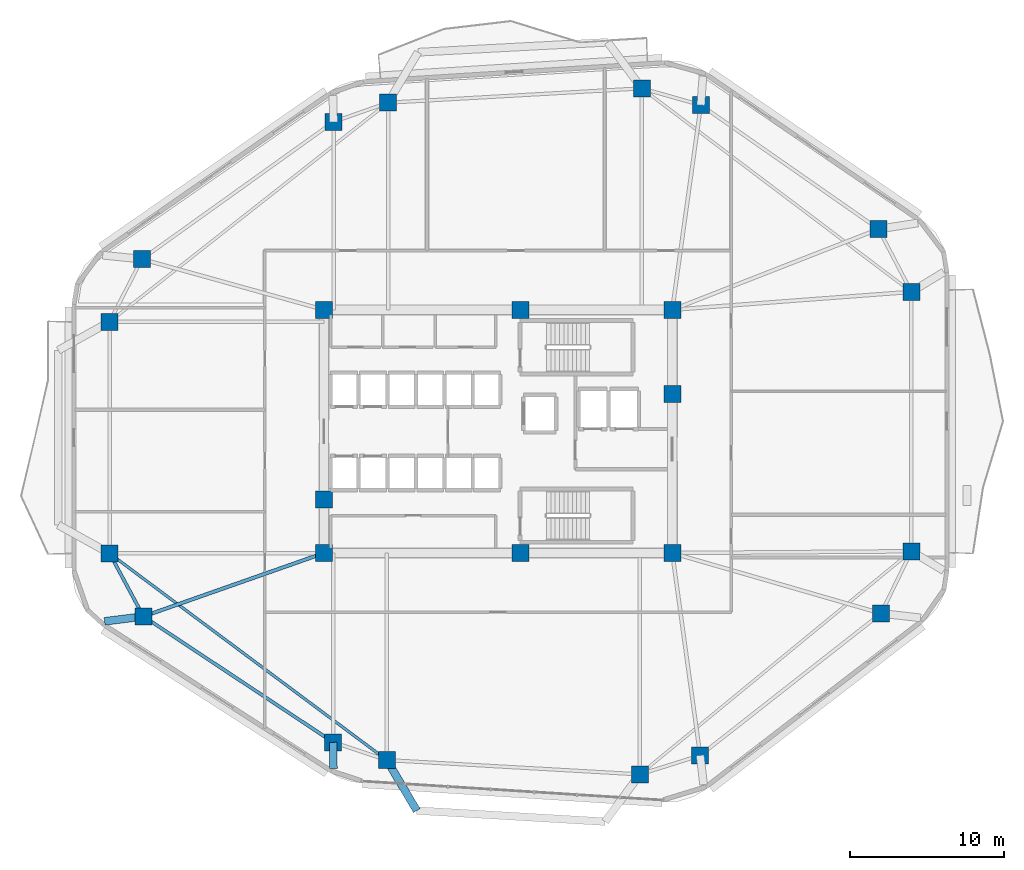
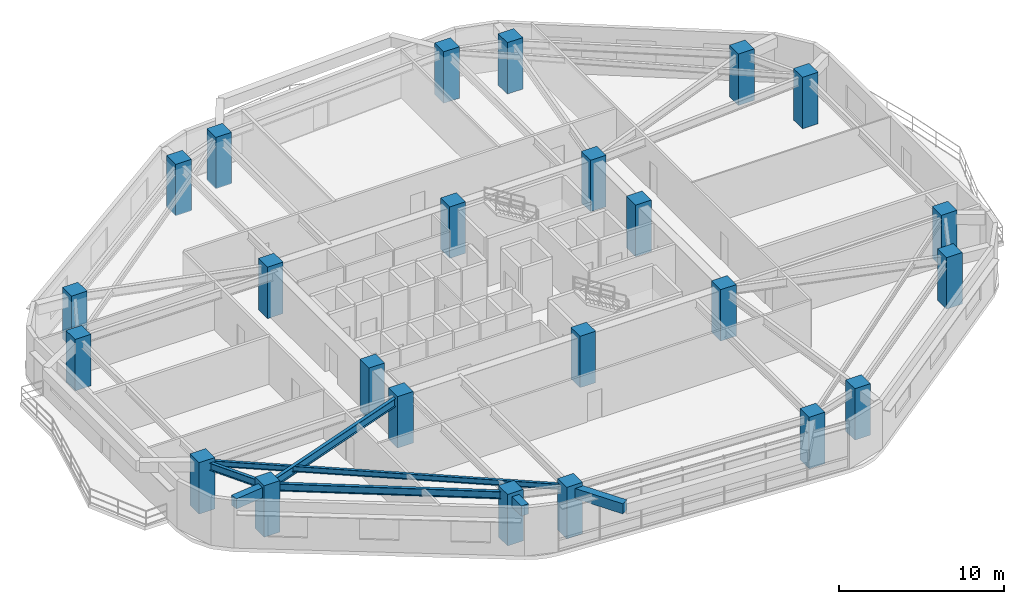
# One storey, part 1 of 12: 24 columns, 7 beams.
"""IFC4 building model written with IfcOpenShell, lengths in metres."""

from ifc_helpers import new_model, si_unit, direction, frame, origin, origin_2d, place, context, subcontext, project, spatial, rectangle, i_section, extrude, material, material_profile, profile_set, type_object, element, save


model = new_model("IFC4")

# Units and contexts
model_context = context("Model", 3, precision=1e-05, world=origin(), true_north=direction((0.0, 1.0)))
body_context = subcontext(model_context, "Body", "Model", "MODEL_VIEW")
ifc_project = project(units=[si_unit("LENGTHUNIT", "METRE"), si_unit("AREAUNIT", "SQUARE_METRE"), si_unit("VOLUMEUNIT", "CUBIC_METRE"), si_unit("PLANEANGLEUNIT", "RADIAN"), si_unit("MASSUNIT", "GRAM", prefix="KILO")], contexts=[model_context])

# Site, building, storey
site_placement = place(None, origin())
site = spatial("IfcSite", under=ifc_project, at=site_placement, CompositionType="ELEMENT")
building_placement = place(site_placement, origin())
building = spatial("IfcBuilding", under=site, at=building_placement, Name="Zulverin Broadcast Headquarters", CompositionType="ELEMENT")
storey_placement = place(building_placement, frame((0.0, 0.0, 93.39990234375)))
storey = spatial("IfcBuildingStorey", under=building, at=storey_placement, Name="L23", CompositionType="ELEMENT", Elevation=93.39990234375)

# Columns
ifc_material_1 = material(Name="Concrete C60/75", Category="concrete")
ifc_material_profile_1 = material_profile(ifc_material_1, rectangle(XDim=1.10009765625, YDim=1.10009765625, at=origin_2d()), Name="Concrete C60/75", Category="concrete")
ifc_profile_set_1 = profile_set([ifc_material_profile_1], Name="Concrete C60/75")
column_type_1 = type_object("IfcColumnType", Name="COL-RC-1100", PredefinedType="COLUMN", material=ifc_profile_set_1)
for number, where, z_axis, x_axis, name in (
    (1, (29.79638671875, 3.922119140625, 0.0), (0.0, 0.0, 1.0), (1.0, 0.0, 0.0), "L23 Perimeter Column T01"),
    (2, (46.175048828125, 2.997802734375, 0.0), (0.0, 0.0, 1.0), (1.0, 0.0, 0.0), "L23 Perimeter Column T02"),
    (3, (50.08056640625, 4.22509765625, 0.0), (0.0, 0.0, 1.0), (1.0, 0.0, 0.0), "L23 Perimeter Column T03"),
    (4, (61.79296875, 13.416259765625, 0.0), (0.0, 0.0, 1.0), (1.0, 0.0, 0.0), "L23 Perimeter Column T04"),
    (5, (63.75, 17.439697265625, 0.0), (0.0, 0.0, 1.0), (1.0, 0.0, 0.0), "L23 Perimeter Column T05"),
    (6, (63.75, 34.235107421875, 0.0), (0.0, 0.0, 1.0), (1.0, 0.0, 0.0), "L23 Perimeter Column T06"),
    (7, (61.630126953125, 38.298583984375, 0.0), (0.0, 0.0, 1.0), (1.0, 0.0, 0.0), "L23 Perimeter Column T07"),
    (8, (50.121826171875, 46.325927734375, 0.0), (0.0, 0.0, 1.0), (1.0, 0.0, 0.0), "L23 Perimeter Column T08"),
    (9, (46.30224609375, 47.4091796875, 0.0), (0.0, 0.0, 1.0), (1.0, 0.0, 0.0), "L23 Perimeter Column T09"),
    (10, (29.873779296875, 46.482177734375, 0.0), (0.0, 0.0, 1.0), (1.0, 0.0, 0.0), "L23 Perimeter Column T10"),
    (11, (26.344482421875, 45.23828125, 0.0), (0.0, 0.0, 1.0), (1.0, 0.0, 0.0), "L23 Perimeter Column T11"),
    (12, (13.934326171875, 36.353759765625, 0.0), (0.0, 0.0, 1.0), (1.0, 0.0, 0.0), "L23 Perimeter Column T12"),
    (13, (11.85009765625, 32.298095703125, 0.0), (0.0, 0.0, 1.0), (1.0, 0.0, 0.0), "L23 Perimeter Column T13"),
    (14, (11.85009765625, 17.297607421875, 0.0), (0.0, 0.0, 1.0), (1.0, 0.0, 0.0), "L23 Perimeter Column T14"),
    (15, (14.0390625, 13.219970703125, 0.0), (0.0, 0.0, 1.0), (1.0, 0.0, 0.0), "L23 Perimeter Column T15"),
    (16, (26.3251953125, 5.075927734375, 0.0), (0.0, 0.0, 1.0), (1.0, 0.0, 0.0), "L23 Perimeter Column T16"),
):
    element("IfcColumn", number, at=place(storey_placement, frame(where, z_axis=z_axis, x_axis=x_axis)), inside=storey, type_object=column_type_1, Name=name, PredefinedType="COLUMN", context=body_context, shape_type="SweptSolid", body=[
        extrude(rectangle(XDim=1.10009765625, YDim=1.10009765625, at=origin_2d()), origin(), (0.0, 0.0, 1.0), 3.800048828125),
    ])
ifc_material_profile_2 = material_profile(ifc_material_1, rectangle(XDim=1.10009765625, YDim=1.10009765625, at=origin_2d()), Name="Concrete C60/75", Category="concrete")
ifc_profile_set_2 = profile_set([ifc_material_profile_2], Name="Concrete C60/75")
column_type_2 = type_object("IfcColumnType", Name="PIL-RC-1100", PredefinedType="PILASTER", material=ifc_profile_set_2)
for number, where, z_axis, x_axis, name in (
    (17, (25.72509765625, 17.324951171875, 0.0), (0.0, 0.0, 1.0), (1.0, 0.0, 0.0), "L23 Core Pilaster K01"),
    (18, (38.449951171875, 17.324951171875, 0.0), (0.0, 0.0, 1.0), (1.0, 0.0, 0.0), "L23 Core Pilaster K02"),
    (19, (48.27490234375, 17.324951171875, 0.0), (0.0, 0.0, 1.0), (1.0, 0.0, 0.0), "L23 Core Pilaster K03"),
    (20, (48.27490234375, 27.6201171875, 0.0), (0.0, 0.0, 1.0), (1.0, 0.0, 0.0), "L23 Core Pilaster K04"),
    (21, (48.27490234375, 33.074951171875, 0.0), (0.0, 0.0, 1.0), (1.0, 0.0, 0.0), "L23 Core Pilaster K05"),
    (22, (38.449951171875, 33.074951171875, 0.0), (0.0, 0.0, 1.0), (1.0, 0.0, 0.0), "L23 Core Pilaster K06"),
    (23, (25.72509765625, 33.074951171875, 0.0), (0.0, 0.0, 1.0), (1.0, 0.0, 0.0), "L23 Core Pilaster K07"),
    (24, (25.72509765625, 20.800048828125, 0.0), (0.0, 0.0, 1.0), (1.0, 0.0, 0.0), "L23 Core Pilaster K08"),
):
    element("IfcColumn", number, at=place(storey_placement, frame(where, z_axis=z_axis, x_axis=x_axis)), inside=storey, type_object=column_type_2, Name=name, PredefinedType="PILASTER", context=body_context, shape_type="SweptSolid", body=[
        extrude(rectangle(XDim=1.10009765625, YDim=1.10009765625, at=origin_2d()), origin(), (0.0, 0.0, 1.0), 3.800048828125),
    ])

# Beams
ifc_material_2 = material(Name="Concrete C40/50", Category="concrete")
ifc_material_profile_3 = material_profile(ifc_material_2, rectangle(XDim=0.5, YDim=0.75, at=origin_2d()), Name="Concrete C40/50", Category="concrete")
ifc_profile_set_3 = profile_set([ifc_material_profile_3], Name="Concrete C40/50")
beam_type_1 = type_object("IfcBeamType", Name="BM-RC-500x750", PredefinedType="BEAM", material=ifc_profile_set_3)
beam_1_placement = place(storey_placement, frame((14.0390625, 13.219970703125, 3.150146484375), z_axis=(-0.992258640565, -0.124188526941, 0.0), x_axis=(0.124188526941, -0.992258640565, 0.0)))
element("IfcBeam", 25, at=beam_1_placement, inside=storey, type_object=beam_type_1, Name="L24 Plate Overhang Back-Spanned Beam OVR-15", PredefinedType="BEAM", context=body_context, shape_type="SweptSolid", body=[
    extrude(rectangle(XDim=0.5, YDim=0.75, at=origin_2d()), origin(), (0.0, 0.0, 1.0), 2.5400390625),
])
beam_2_placement = place(storey_placement, frame((26.3251953125, 5.075927734375, 3.150146484375), z_axis=(0.006204786761, -0.999980750125, 0.0), x_axis=(0.999980750125, 0.006204786761, 0.0)))
element("IfcBeam", 26, at=beam_2_placement, inside=storey, type_object=beam_type_1, Name="L24 Plate Overhang Back-Spanned Beam OVR-16", PredefinedType="BEAM", context=body_context, shape_type="SweptSolid", body=[
    extrude(rectangle(XDim=0.5, YDim=0.75, at=origin_2d()), origin(), (0.0, 0.0, 1.0), 1.69189453125),
])
beam_3_placement = place(storey_placement, frame((29.79638671875, 3.922119140625, 3.150146484375), z_axis=(0.509317980618, -0.860578407014, 0.0), x_axis=(0.860578407014, 0.509317980618, 0.0)))
element("IfcBeam", 27, at=beam_3_placement, inside=storey, type_object=beam_type_1, Name="L24 Balcony Column-Framed Cantilever BAL_S-1", PredefinedType="BEAM", context=body_context, shape_type="SweptSolid", body=[
    extrude(rectangle(XDim=0.5, YDim=0.75, at=origin_2d()), origin(), (0.0, 0.0, 1.0), 3.7998046875),
])
ifc_material_3 = material(Name="Structural steel S355JR", Category="steel")
ifc_material_profile_4 = material_profile(ifc_material_3, i_section(OverallWidth=0.179443359375, OverallDepth=0.412841796875, WebThickness=0.009521484375, FlangeThickness=0.01611328125, at=origin_2d()), Name="Structural steel S355JR", Category="steel")
ifc_profile_set_4 = profile_set([ifc_material_profile_4], Name="Structural steel S355JR")
beam_type_2 = type_object("IfcBeamType", Name="BM-UB-406", PredefinedType="JOIST", material=ifc_profile_set_4)
beam_4_placement = place(storey_placement, frame((11.85009765625, 17.297607421875, 3.318603515625), z_axis=(0.801802688634, -0.59758886243, 0.0), x_axis=(0.59758886243, 0.801802688634, 0.0)))
element("IfcBeam", 28, at=beam_4_placement, inside=storey, type_object=beam_type_2, Name="L23 Chordal Floor Joist J-04", PredefinedType="JOIST", context=body_context, shape_type="SweptSolid", body=[
    extrude(i_section(OverallWidth=0.179443359375, OverallDepth=0.412841796875, WebThickness=0.009521484375, FlangeThickness=0.01611328125, at=origin_2d()), origin(), (0.0, 0.0, 1.0), 22.38232421875),
])
ifc_material_profile_5 = material_profile(ifc_material_3, i_section(OverallWidth=0.2119140625, OverallDepth=0.54443359375, WebThickness=0.0126953125, FlangeThickness=0.021240234375, at=origin_2d()), Name="Structural steel S355JR", Category="steel")
ifc_profile_set_5 = profile_set([ifc_material_profile_5], Name="Structural steel S355JR")
beam_type_3 = type_object("IfcBeamType", Name="BM-UB-533", PredefinedType="SPANDREL", material=ifc_profile_set_5)
beam_5_placement = place(storey_placement, frame((11.85009765625, 17.297607421875, 3.252685546875), z_axis=(0.472979536362, -0.881073412482, 0.0), x_axis=(0.881073412482, 0.472979536362, 0.0)))
element("IfcBeam", 29, at=beam_5_placement, inside=storey, type_object=beam_type_3, Name="L23 Perimeter Spandrel Beam SP-14", PredefinedType="SPANDREL", context=body_context, shape_type="SweptSolid", body=[
    extrude(i_section(OverallWidth=0.2119140625, OverallDepth=0.54443359375, WebThickness=0.0126953125, FlangeThickness=0.021240234375, at=origin_2d()), origin(), (0.0, 0.0, 1.0), 4.6279296875),
])
beam_6_placement = place(storey_placement, frame((14.0390625, 13.219970703125, 3.252685546875), z_axis=(0.833510030956, -0.552504324232, 0.0), x_axis=(0.552504324232, 0.833510030956, 0.0)))
element("IfcBeam", 30, at=beam_6_placement, inside=storey, type_object=beam_type_3, Name="L23 Perimeter Spandrel Beam SP-15", PredefinedType="SPANDREL", context=body_context, shape_type="SweptSolid", body=[
    extrude(i_section(OverallWidth=0.2119140625, OverallDepth=0.54443359375, WebThickness=0.0126953125, FlangeThickness=0.021240234375, at=origin_2d()), origin(), (0.0, 0.0, 1.0), 14.740234375),
])
ifc_material_profile_6 = material_profile(ifc_material_3, i_section(OverallWidth=0.230224609375, OverallDepth=0.6171875, WebThickness=0.01318359375, FlangeThickness=0.022216796875, at=origin_2d()), Name="Structural steel S355JR", Category="steel")
ifc_profile_set_6 = profile_set([ifc_material_profile_6], Name="Structural steel S355JR")
beam_type_4 = type_object("IfcBeamType", Name="BM-UB-610", PredefinedType="BEAM", material=ifc_profile_set_6)
beam_7_placement = place(storey_placement, frame((25.72509765625, 17.324951171875, 3.216552734375), z_axis=(-0.943483462345, -0.331419607569, 0.0), x_axis=(0.331419607569, -0.943483462345, 0.0)))
element("IfcBeam", 31, at=beam_7_placement, inside=storey, type_object=beam_type_4, Name="L23 Radial Primary Floor Beam RB-15", PredefinedType="BEAM", context=body_context, shape_type="SweptSolid", body=[
    extrude(i_section(OverallWidth=0.230224609375, OverallDepth=0.6171875, WebThickness=0.01318359375, FlangeThickness=0.022216796875, at=origin_2d()), origin(), (0.0, 0.0, 1.0), 12.385986328125),
])

save(model, "model.ifc")
